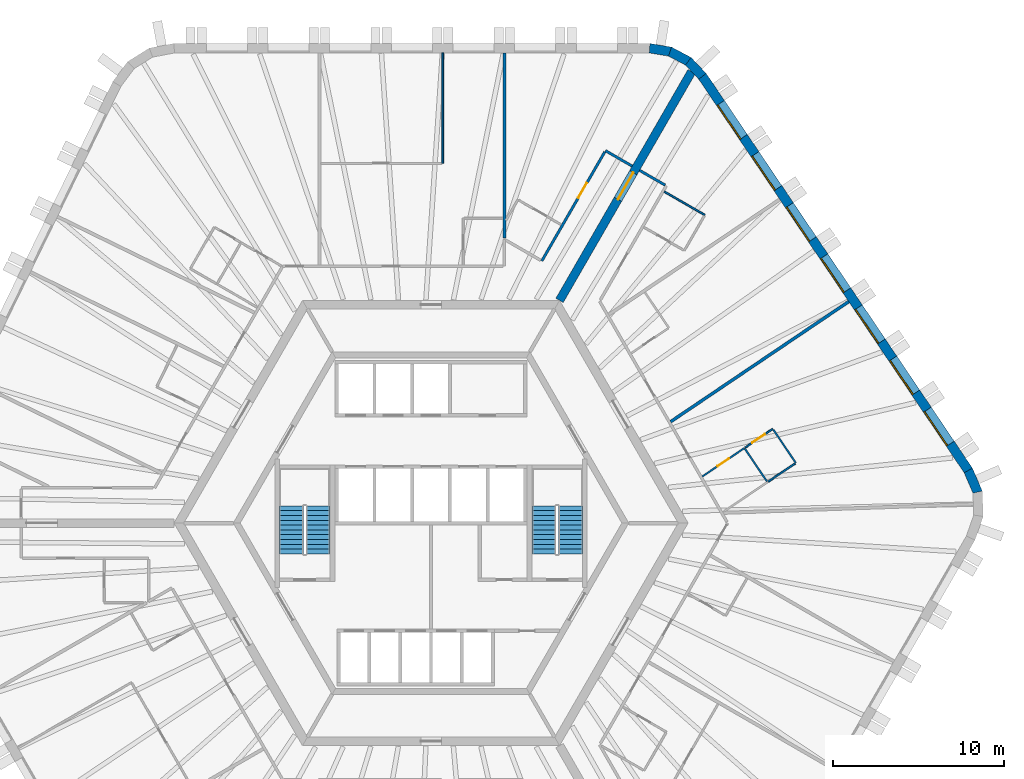
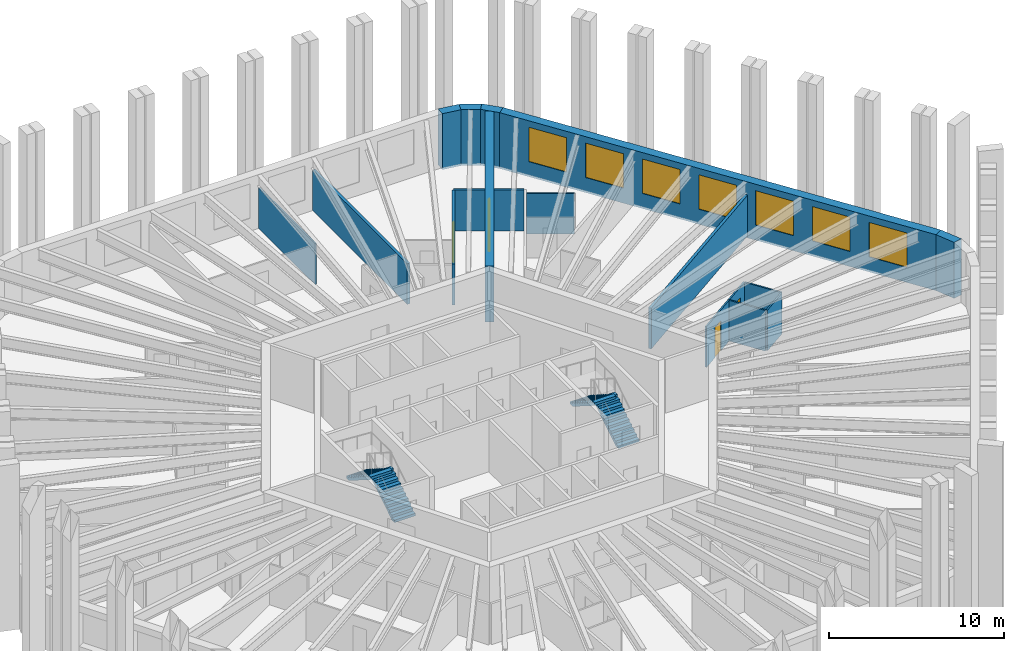
# One storey, part 9 of 10: 18 walls, 7 windows, 4 doors, 4 stair flights, 11 openings, 2 elements without a shape of their own.
"""IFC4 building model written with IfcOpenShell, lengths in metres."""

from ifc_helpers import new_model, si_unit, direction, frame, frame_2d, origin, place, context, subcontext, project, spatial, polyline, rectangle, outline, extrude, material, layer, layer_set, type_object, element, fill, aggregate, save


model = new_model("IFC4")

# Units and contexts
model_context = context("Model", 3, precision=1e-05, world=origin(), true_north=direction((0.0, 1.0)))
body_context = subcontext(model_context, "Body", "Model", "MODEL_VIEW")
ifc_project = project(units=[si_unit("LENGTHUNIT", "METRE"), si_unit("AREAUNIT", "SQUARE_METRE"), si_unit("VOLUMEUNIT", "CUBIC_METRE"), si_unit("PLANEANGLEUNIT", "RADIAN"), si_unit("MASSUNIT", "GRAM", prefix="KILO")], contexts=[model_context])

# Site, building, storey
site_placement = place(None, origin())
site = spatial("IfcSite", under=ifc_project, at=site_placement, CompositionType="ELEMENT")
building_placement = place(site_placement, origin())
building = spatial("IfcBuilding", under=site, at=building_placement, Name="Tarnside Tower", CompositionType="ELEMENT")
storey_placement = place(building_placement, frame((0.0, 0.0, 238.5)))
storey = spatial("IfcBuildingStorey", under=building, at=storey_placement, Name="L57", CompositionType="ELEMENT", Elevation=238.5)

# Wall, opening, door
ifc_material_1 = material(Name="Gypsum board partition on steel studs", Category="steel")
ifc_layer_1 = layer(ifc_material_1, 0.10009765625)
ifc_layer_set_1 = layer_set([ifc_layer_1], Name="Bathroom wall 100")
wall_type_1 = type_object("IfcWallType", Name="Bathroom wall 100", PredefinedType="PARTITIONING", material=ifc_layer_set_1)
wall_1_placement = place(storey_placement, frame((15.837646484375, 2.718505859375, 0.0), z_axis=(0.0, 0.0, 1.0), x_axis=(0.829027811096, 0.559207375156, 0.0)))
wall_1 = element("IfcWall", 1, at=wall_1_placement, inside=storey, type_object=wall_type_1, Name="Bathroom wall 19110", PredefinedType="PARTITIONING", context=body_context, shape_type="SweptSolid", body=[
    extrude(rectangle(XDim=2.9697265625, YDim=0.10009765625, at=frame_2d((1.48486328125, 0.0))), origin(), (0.0, 0.0, 1.0), 2.837890625),
])
opening_1_placement = place(wall_1_placement, frame((1.06982421875, 0.0, 0.0)))
opening_1 = element("IfcOpeningElement", 2, at=opening_1_placement, cuts=wall_1, Name="Opening D-B1", PredefinedType="OPENING", context=body_context, shape_type="SweptSolid", body=[
    extrude(rectangle(XDim=0.800048828125, YDim=2.10009765625, at=frame_2d((0.39990234375, 1.050048828125))), frame((0.0, 0.06005859375, 0.0), z_axis=(0.0, -1.0, 0.0), x_axis=(1.0, 0.0, 0.0)), (0.0, 0.0, 1.0), 0.1201171875),
])
ifc_material_2 = material(Name="Timber door leaf", Category="wood")
door_type_1 = type_object("IfcDoorType", Name="Bathroom door 800", OperationType="NOTDEFINED", PredefinedType="DOOR", material=ifc_material_2)
door_1_placement = place(opening_1_placement, origin())
door_1 = element("IfcDoor", 3, at=door_1_placement, inside=storey, type_object=door_type_1, Name="Bathroom door 19033", OperationType="SINGLE_SWING_RIGHT", OverallHeight=2.10009765625, OverallWidth=0.800048828125, PredefinedType="DOOR", context=body_context, shape_type="SweptSolid", body=[
    extrude(rectangle(XDim=0.800048828125, YDim=2.10009765625, at=frame_2d((0.39990234375, 1.050048828125))), frame((0.0, 0.02490234375, 0.0), z_axis=(0.0, -1.0, 0.0), x_axis=(1.0, 0.0, 0.0)), (0.0, 0.0, 1.0), 0.050048828125),
])
fill(opening_1, door_1)

# Walls
wall_2_placement = place(storey_placement, frame((19.61376953125, 2.430908203125, 0.0), z_axis=(0.0, 0.0, 1.0), x_axis=(-0.559199358977, 0.829033218225, 0.0)))
element("IfcWall", 4, at=wall_2_placement, inside=storey, type_object=wall_type_1, Name="Bathroom wall 19116", PredefinedType="PARTITIONING", context=body_context, shape_type="SweptSolid", body=[
    extrude(rectangle(XDim=2.300048828125, YDim=0.10009765625, at=frame_2d((1.14990234375, 0.0))), origin(), (0.0, 0.0, 1.0), 2.837890625),
])
wall_3_placement = place(storey_placement, frame((13.626708984375, 19.352294921875, 0.0), z_axis=(0.0, 0.0, 1.0), x_axis=(0.866012511928, -0.500022328685, 0.0)))
element("IfcWall", 5, at=wall_3_placement, inside=storey, type_object=wall_type_1, Name="Bathroom wall 19121", PredefinedType="PARTITIONING", context=body_context, shape_type="SweptSolid", body=[
    extrude(rectangle(XDim=2.72509765625, YDim=0.10009765625, at=frame_2d((1.362548828125, 0.0))), origin(), (0.0, 0.0, 1.0), 2.837890625),
])

# Wall, opening, door
ifc_material_3 = material(Name="Concrete C70/85", Category="concrete")
ifc_layer_2 = layer(ifc_material_3, 0.5)
ifc_layer_set_2 = layer_set([ifc_layer_2], Name="Core wall Z2 500 C70/85")
wall_type_2 = type_object("IfcWallType", Name="Core wall Z2 500 C70/85", PredefinedType="SHEAR", material=ifc_layer_set_2)
wall_4_placement = place(storey_placement, frame((7.505615234375, 13.0, -0.14990234375), z_axis=(0.0, 0.0, 1.0), x_axis=(0.499988271576, 0.866032175087, 0.0)))
wall_4 = element("IfcWall", 6, at=wall_4_placement, inside=storey, type_object=wall_type_2, Name="L57 spine wall 1", PredefinedType="SHEAR", context=body_context, shape_type="SweptSolid", body=[
    extrude(rectangle(XDim=15.423583984375, YDim=0.5, at=frame_2d((7.7119140625, 0.0))), origin(), (0.0, 0.0, 1.0), 3.89990234375),
])
opening_2_placement = place(wall_4_placement, frame((6.811767578125, 0.0, 0.14990234375)))
opening_2 = element("IfcOpeningElement", 7, at=opening_2_placement, cuts=wall_4, Name="Opening CD-SPN", PredefinedType="OPENING", context=body_context, shape_type="SweptSolid", body=[
    extrude(rectangle(XDim=1.800048828125, YDim=2.39990234375, at=frame_2d((0.89990234375, 1.199951171875))), frame((0.0, 0.260009765625, 0.0), z_axis=(0.0, -1.0, 0.0), x_axis=(1.0, 0.0, 0.0)), (0.0, 0.0, 1.0), 0.52001953125),
])
ifc_material_4 = material(Name="Steel fire door", Category="steel")
door_type_2 = type_object("IfcDoorType", Name="Spine passage double door FD60 1800x2400", OperationType="NOTDEFINED", PredefinedType="DOOR", material=ifc_material_4)
door_2_placement = place(opening_2_placement, origin())
door_2 = element("IfcDoor", 8, at=door_2_placement, inside=storey, type_object=door_type_2, Name="L57 spine passage door 1", OperationType="DOUBLE_DOOR_SINGLE_SWING", OverallHeight=2.39990234375, OverallWidth=1.800048828125, PredefinedType="DOOR", context=body_context, shape_type="SweptSolid", body=[
    extrude(rectangle(XDim=1.800048828125, YDim=2.39990234375, at=frame_2d((0.89990234375, 1.199951171875))), frame((0.0, 0.02490234375, 0.0), z_axis=(0.0, -1.0, 0.0), x_axis=(1.0, 0.0, 0.0)), (0.0, 0.0, 1.0), 0.050048828125),
])
fill(opening_2, door_2)

# Wall
ifc_layer_3 = layer(ifc_material_1, 0.14990234375)
ifc_layer_set_3 = layer_set([ifc_layer_3], Name="Corridor wall 150 EI 60")
wall_type_3 = type_object("IfcWallType", Name="Corridor wall 150 EI 60", PredefinedType="PARTITIONING", material=ifc_layer_set_3)
wall_5_placement = place(storey_placement, frame((11.744873046875, 20.8427734375, 0.0), z_axis=(0.0, 0.0, 1.0), x_axis=(-0.865989075817, 0.500062916607, 0.0)))
element("IfcWall", 9, at=wall_5_placement, inside=storey, type_object=wall_type_3, Name="Corridor wall 19001", PredefinedType="PARTITIONING", context=body_context, shape_type="SweptSolid", body=[
    extrude(rectangle(XDim=1.800048828125, YDim=0.14990234375, at=frame_2d((0.89990234375, 0.0))), origin(), (0.0, 0.0, 1.0), 2.837890625),
])

# Wall, opening, door
wall_6_placement = place(storey_placement, frame((10.148681640625, 21.677978515625, 0.0), z_axis=(0.0, 0.0, 1.0), x_axis=(-0.500020076982, -0.866013812023, 0.0)))
wall_6 = element("IfcWall", 10, at=wall_6_placement, inside=storey, type_object=wall_type_3, Name="Corridor wall 19002", PredefinedType="PARTITIONING", context=body_context, shape_type="SweptSolid", body=[
    extrude(rectangle(XDim=7.361083984375, YDim=0.14990234375, at=frame_2d((3.6806640625, 0.0))), origin(), (0.0, 0.0, 1.0), 2.837890625),
])
opening_3_placement = place(wall_6_placement, frame((2.117919921875, 0.0, 0.0)))
opening_3 = element("IfcOpeningElement", 11, at=opening_3_placement, cuts=wall_6, Name="Opening D-E1", PredefinedType="OPENING", context=body_context, shape_type="SweptSolid", body=[
    extrude(rectangle(XDim=1.0, YDim=2.10009765625, at=frame_2d((0.5, 1.050048828125))), frame((0.0, 0.0849609375, 0.0), z_axis=(0.0, -1.0, 0.0), x_axis=(1.0, 0.0, 0.0)), (0.0, 0.0, 1.0), 0.169921875),
])
door_type_3 = type_object("IfcDoorType", Name="Unit entrance door 1000 FD30S", OperationType="NOTDEFINED", PredefinedType="DOOR", material=ifc_material_2)
door_3_placement = place(opening_3_placement, origin())
door_3 = element("IfcDoor", 12, at=door_3_placement, inside=storey, type_object=door_type_3, Name="Unit door 19001", OperationType="SINGLE_SWING_LEFT", OverallHeight=2.10009765625, OverallWidth=1.0, PredefinedType="DOOR", context=body_context, shape_type="SweptSolid", body=[
    extrude(rectangle(XDim=1.0, YDim=2.10009765625, at=frame_2d((0.5, 1.050048828125))), frame((0.0, 0.02490234375, 0.0), z_axis=(0.0, -1.0, 0.0), x_axis=(1.0, 0.0, 0.0)), (0.0, 0.0, 1.0), 0.050048828125),
])
fill(opening_3, door_3)

# Walls
wall_7_placement = place(storey_placement, frame((13.671875, 19.73046875, 0.0), z_axis=(0.0, 0.0, 1.0), x_axis=(-0.866074815912, 0.499914405916, 0.0)))
element("IfcWall", 13, at=wall_7_placement, inside=storey, type_object=wall_type_3, Name="Corridor wall 19049", PredefinedType="PARTITIONING", context=body_context, shape_type="SweptSolid", body=[
    extrude(rectangle(XDim=1.724853515625, YDim=0.14990234375, at=frame_2d((0.8623046875, 0.0))), origin(), (0.0, 0.0, 1.0), 2.837890625),
])
ifc_layer_4 = layer(ifc_material_1, 0.179931640625)
ifc_layer_set_4 = layer_set([ifc_layer_4], Name="Demising wall 180 EI 60")
wall_type_4 = type_object("IfcWallType", Name="Demising wall 180 EI 60", PredefinedType="PARTITIONING", material=ifc_layer_set_4)
wall_8_placement = place(storey_placement, frame((4.2822265625, 27.449951171875, 0.0), z_axis=(0.0, 0.0, 1.0), x_axis=(0.0, -1.0, 0.0)))
element("IfcWall", 14, at=wall_8_placement, inside=storey, type_object=wall_type_4, Name="Demising wall 19053", PredefinedType="PARTITIONING", context=body_context, shape_type="SweptSolid", body=[
    extrude(rectangle(XDim=10.800537109375, YDim=0.179931640625, at=frame_2d((5.400390625, 0.0))), origin(), (0.0, 0.0, 1.0), 2.837890625),
])
wall_9_placement = place(storey_placement, frame((24.388671875, 12.9306640625, 0.0), z_axis=(0.0, 0.0, 1.0), x_axis=(-0.829040439793, -0.559188652593, 0.0)))
element("IfcWall", 15, at=wall_9_placement, inside=storey, type_object=wall_type_4, Name="Demising wall 19115", PredefinedType="PARTITIONING", context=body_context, shape_type="SweptSolid", body=[
    extrude(rectangle(XDim=12.542236328125, YDim=0.179931640625, at=frame_2d((6.27099609375, 0.0))), origin(), (0.0, 0.0, 1.0), 2.837890625),
])
ifc_layer_5 = layer(ifc_material_1, 0.10009765625)
ifc_layer_set_5 = layer_set([ifc_layer_5], Name="Partition 100")
wall_type_5 = type_object("IfcWallType", Name="Partition 100", PredefinedType="PARTITIONING", material=ifc_layer_set_5)
wall_10_placement = place(storey_placement, frame((0.68212890625, 27.449951171875, 0.0), z_axis=(0.0, 0.0, 1.0), x_axis=(0.0, -1.0, 0.0)))
element("IfcWall", 16, at=wall_10_placement, inside=storey, type_object=wall_type_5, Name="Partition wall 19058", PredefinedType="PARTITIONING", context=body_context, shape_type="SweptSolid", body=[
    extrude(rectangle(XDim=6.449951171875, YDim=0.10009765625, at=frame_2d((3.22509765625, 0.0))), origin(), (0.0, 0.0, 1.0), 2.837890625),
])

# Wall, opening, door
wall_11_placement = place(storey_placement, frame((18.341064453125, 4.406982421875, 0.0), z_axis=(0.0, 0.0, 1.0), x_axis=(0.829014089772, 0.559227716552, 0.0)))
wall_11 = element("IfcWall", 17, at=wall_11_placement, inside=storey, type_object=wall_type_5, Name="Partition wall 19112", PredefinedType="PARTITIONING", context=body_context, shape_type="SweptSolid", body=[
    extrude(rectangle(XDim=1.9501953125, YDim=0.10009765625, at=frame_2d((0.97509765625, 0.0))), origin(), (0.0, 0.0, 1.0), 2.837890625),
])
opening_4_placement = place(wall_11_placement, frame((0.5, 0.0, 0.0)))
opening_4 = element("IfcOpeningElement", 18, at=opening_4_placement, cuts=wall_11, Name="Opening D-I1", PredefinedType="OPENING", context=body_context, shape_type="SweptSolid", body=[
    extrude(rectangle(XDim=0.89990234375, YDim=2.10009765625, at=frame_2d((0.449951171875, 1.050048828125))), frame((0.0, 0.06005859375, 0.0), z_axis=(0.0, -1.0, 0.0), x_axis=(1.0, 0.0, 0.0)), (0.0, 0.0, 1.0), 0.1201171875),
])
door_type_4 = type_object("IfcDoorType", Name="Internal door 900", OperationType="NOTDEFINED", PredefinedType="DOOR", material=ifc_material_2)
door_4_placement = place(opening_4_placement, origin())
door_4 = element("IfcDoor", 19, at=door_4_placement, inside=storey, type_object=door_type_4, Name="Internal door 19034", OperationType="SINGLE_SWING_RIGHT", OverallHeight=2.10009765625, OverallWidth=0.89990234375, PredefinedType="DOOR", context=body_context, shape_type="SweptSolid", body=[
    extrude(rectangle(XDim=0.89990234375, YDim=2.10009765625, at=frame_2d((0.449951171875, 1.050048828125))), frame((0.0, 0.02490234375, 0.0), z_axis=(0.0, -1.0, 0.0), x_axis=(1.0, 0.0, 0.0)), (0.0, 0.0, 1.0), 0.050048828125),
])
fill(opening_4, door_4)

# Walls
wall_12_placement = place(storey_placement, frame((19.985595703125, 5.4560546875, 0.0), z_axis=(0.0, 0.0, 1.0), x_axis=(0.559223037199, -0.829017246302, 0.0)))
element("IfcWall", 20, at=wall_12_placement, inside=storey, type_object=wall_type_5, Name="Partition wall 19113", PredefinedType="PARTITIONING", context=body_context, shape_type="SweptSolid", body=[
    extrude(rectangle(XDim=2.35009765625, YDim=0.10009765625, at=frame_2d((1.175048828125, 0.0))), origin(), (0.0, 0.0, 1.0), 2.837890625),
])
wall_13_placement = place(storey_placement, frame((21.25830078125, 3.47998046875, 0.0), z_axis=(0.0, 0.0, 1.0), x_axis=(-0.82903334026, -0.559199178055, 0.0)))
element("IfcWall", 21, at=wall_13_placement, inside=storey, type_object=wall_type_5, Name="Partition wall 19114", PredefinedType="PARTITIONING", context=body_context, shape_type="SweptSolid", body=[
    extrude(rectangle(XDim=1.900146484375, YDim=0.10009765625, at=frame_2d((0.9501953125, 0.0))), origin(), (0.0, 0.0, 1.0), 2.837890625),
])
ifc_material_5 = material(Name="Facing brick", Category="masonry")
ifc_layer_6 = layer(ifc_material_5, 0.10205078125)
ifc_material_6 = material(Name="Concrete C60/75 precast", Category="concrete")
ifc_layer_7 = layer(ifc_material_6, 0.347900390625)
ifc_material_7 = material(Name="Mineral wool insulation")
ifc_layer_8 = layer(ifc_material_7, 0.10009765625)
ifc_layer_set_6 = layer_set([ifc_layer_6, ifc_layer_7, ifc_layer_8], Name="Tube wall 550 brick faced")
wall_type_6 = type_object("IfcWallType", Name="Tube wall 550 brick faced", PredefinedType="SOLIDWALL", material=ifc_layer_set_6)
wall_14_placement = place(storey_placement, frame((31.91748046875, 1.804443359375, -0.14990234375), z_axis=(0.0, 0.0, 1.0), x_axis=(-0.396225741392, 0.918153125496, 0.0)))
element("IfcWall", 22, at=wall_14_placement, inside=storey, type_object=wall_type_6, Name="Tube wall L57 F5 chord 19", PredefinedType="SOLIDWALL", context=body_context, shape_type="SweptSolid", body=[
    extrude(outline(polyline([(-0.0517578125, -0.27490234375), (1.404541015625, -0.27490234375), (1.353271484375, 0.27490234375), (0.0517578125, 0.27490234375), (-0.0517578125, -0.27490234375)])), origin(), (0.0, 0.0, 1.0), 3.89990234375),
])

# Wall, openings, windows
wall_15_placement = place(storey_placement, frame((31.37109375, 3.070556640625, -0.14990234375), z_axis=(0.0, 0.0, 1.0), x_axis=(-0.559189891278, 0.829039604297, 0.0)))
wall_15 = element("IfcWall", 23, at=wall_15_placement, inside=storey, type_object=wall_type_6, Name="Tube wall L57 F6 flush 20", PredefinedType="SOLIDWALL", context=body_context, shape_type="SweptSolid", body=[
    extrude(outline(polyline([(-0.025634765625, -0.27490234375), (27.780517578125, -0.27490234375), (27.735595703125, 0.27490234375), (0.025634765625, 0.27490234375), (-0.025634765625, -0.27490234375)])), origin(), (0.0, 0.0, 1.0), 3.89990234375),
])
opening_5_placement = place(wall_15_placement, frame((1.87890625, 0.0, 1.050048828125)))
opening_5 = element("IfcOpeningElement", 24, at=opening_5_placement, cuts=wall_15, Name="Opening WH", PredefinedType="OPENING", context=body_context, shape_type="SweptSolid", body=[
    extrude(rectangle(XDim=2.39990234375, YDim=2.39990234375, at=frame_2d((1.199951171875, 1.199951171875))), frame((0.0, 0.28515625, 0.0), z_axis=(0.0, -1.0, 0.0), x_axis=(1.0, 0.0, 0.0)), (0.0, 0.0, 1.0), 0.570068359375),
])
opening_6_placement = place(wall_15_placement, frame((5.47900390625, 0.0, 1.050048828125)))
opening_6 = element("IfcOpeningElement", 25, at=opening_6_placement, cuts=wall_15, Name="Opening WH", PredefinedType="OPENING", context=body_context, shape_type="SweptSolid", body=[
    extrude(rectangle(XDim=2.39990234375, YDim=2.39990234375, at=frame_2d((1.199951171875, 1.199951171875))), frame((0.0, 0.28515625, 0.0), z_axis=(0.0, -1.0, 0.0), x_axis=(1.0, 0.0, 0.0)), (0.0, 0.0, 1.0), 0.570068359375),
])
opening_7_placement = place(wall_15_placement, frame((9.078857421875, 0.0, 1.050048828125)))
opening_7 = element("IfcOpeningElement", 26, at=opening_7_placement, cuts=wall_15, Name="Opening WH", PredefinedType="OPENING", context=body_context, shape_type="SweptSolid", body=[
    extrude(rectangle(XDim=2.39990234375, YDim=2.39990234375, at=frame_2d((1.199951171875, 1.199951171875))), frame((0.0, 0.28515625, 0.0), z_axis=(0.0, -1.0, 0.0), x_axis=(1.0, 0.0, 0.0)), (0.0, 0.0, 1.0), 0.570068359375),
])
opening_8_placement = place(wall_15_placement, frame((12.678955078125, 0.0, 1.050048828125)))
opening_8 = element("IfcOpeningElement", 27, at=opening_8_placement, cuts=wall_15, Name="Opening WH", PredefinedType="OPENING", context=body_context, shape_type="SweptSolid", body=[
    extrude(rectangle(XDim=2.39990234375, YDim=2.39990234375, at=frame_2d((1.199951171875, 1.199951171875))), frame((0.0, 0.28515625, 0.0), z_axis=(0.0, -1.0, 0.0), x_axis=(1.0, 0.0, 0.0)), (0.0, 0.0, 1.0), 0.570068359375),
])
opening_9_placement = place(wall_15_placement, frame((16.27880859375, 0.0, 1.050048828125)))
opening_9 = element("IfcOpeningElement", 28, at=opening_9_placement, cuts=wall_15, Name="Opening WH", PredefinedType="OPENING", context=body_context, shape_type="SweptSolid", body=[
    extrude(rectangle(XDim=2.39990234375, YDim=2.39990234375, at=frame_2d((1.199951171875, 1.199951171875))), frame((0.0, 0.28515625, 0.0), z_axis=(0.0, -1.0, 0.0), x_axis=(1.0, 0.0, 0.0)), (0.0, 0.0, 1.0), 0.570068359375),
])
opening_10_placement = place(wall_15_placement, frame((19.87890625, 0.0, 1.050048828125)))
opening_10 = element("IfcOpeningElement", 29, at=opening_10_placement, cuts=wall_15, Name="Opening WH", PredefinedType="OPENING", context=body_context, shape_type="SweptSolid", body=[
    extrude(rectangle(XDim=2.39990234375, YDim=2.39990234375, at=frame_2d((1.199951171875, 1.199951171875))), frame((0.0, 0.28515625, 0.0), z_axis=(0.0, -1.0, 0.0), x_axis=(1.0, 0.0, 0.0)), (0.0, 0.0, 1.0), 0.570068359375),
])
opening_11_placement = place(wall_15_placement, frame((23.47900390625, 0.0, 1.050048828125)))
opening_11 = element("IfcOpeningElement", 30, at=opening_11_placement, cuts=wall_15, Name="Opening WH", PredefinedType="OPENING", context=body_context, shape_type="SweptSolid", body=[
    extrude(rectangle(XDim=2.39990234375, YDim=2.39990234375, at=frame_2d((1.199951171875, 1.199951171875))), frame((0.0, 0.28515625, 0.0), z_axis=(0.0, -1.0, 0.0), x_axis=(1.0, 0.0, 0.0)), (0.0, 0.0, 1.0), 0.570068359375),
])
ifc_material_8 = material(Name="Aluminium-framed double glazing", Category="aluminium")
window_type = type_object("IfcWindowType", Name="Hotel window 2400 x 2400", PartitioningType="DOUBLE_PANEL_VERTICAL", PredefinedType="WINDOW", material=ifc_material_8)
window_1_placement = place(opening_5_placement, frame((0.0, 0.205078125, 0.0)))
window_1 = element("IfcWindow", 31, at=window_1_placement, inside=storey, type_object=window_type, Name="E.WN.L57.F6.00", OverallHeight=2.39990234375, OverallWidth=2.39990234375, PartitioningType="DOUBLE_PANEL_VERTICAL", PredefinedType="WINDOW", context=body_context, shape_type="SweptSolid", body=[
    extrude(rectangle(XDim=2.39990234375, YDim=2.39990234375, at=frame_2d((1.199951171875, 1.199951171875))), frame((0.0, 0.030029296875, 0.0), z_axis=(0.0, -1.0, 0.0), x_axis=(1.0, 0.0, 0.0)), (0.0, 0.0, 1.0), 0.06005859375),
])
fill(opening_5, window_1)
window_2_placement = place(opening_6_placement, frame((0.0, 0.205078125, 0.0)))
window_2 = element("IfcWindow", 32, at=window_2_placement, inside=storey, type_object=window_type, Name="E.WN.L57.F6.01", OverallHeight=2.39990234375, OverallWidth=2.39990234375, PartitioningType="DOUBLE_PANEL_VERTICAL", PredefinedType="WINDOW", context=body_context, shape_type="SweptSolid", body=[
    extrude(rectangle(XDim=2.39990234375, YDim=2.39990234375, at=frame_2d((1.199951171875, 1.199951171875))), frame((0.0, 0.030029296875, 0.0), z_axis=(0.0, -1.0, 0.0), x_axis=(1.0, 0.0, 0.0)), (0.0, 0.0, 1.0), 0.06005859375),
])
fill(opening_6, window_2)
window_3_placement = place(opening_7_placement, frame((0.0, 0.205078125, 0.0)))
window_3 = element("IfcWindow", 33, at=window_3_placement, inside=storey, type_object=window_type, Name="E.WN.L57.F6.02", OverallHeight=2.39990234375, OverallWidth=2.39990234375, PartitioningType="DOUBLE_PANEL_VERTICAL", PredefinedType="WINDOW", context=body_context, shape_type="SweptSolid", body=[
    extrude(rectangle(XDim=2.39990234375, YDim=2.39990234375, at=frame_2d((1.199951171875, 1.199951171875))), frame((0.0, 0.030029296875, 0.0), z_axis=(0.0, -1.0, 0.0), x_axis=(1.0, 0.0, 0.0)), (0.0, 0.0, 1.0), 0.06005859375),
])
fill(opening_7, window_3)
window_4_placement = place(opening_8_placement, frame((0.0, 0.205078125, 0.0)))
window_4 = element("IfcWindow", 34, at=window_4_placement, inside=storey, type_object=window_type, Name="E.WN.L57.F6.03", OverallHeight=2.39990234375, OverallWidth=2.39990234375, PartitioningType="DOUBLE_PANEL_VERTICAL", PredefinedType="WINDOW", context=body_context, shape_type="SweptSolid", body=[
    extrude(rectangle(XDim=2.39990234375, YDim=2.39990234375, at=frame_2d((1.199951171875, 1.199951171875))), frame((0.0, 0.030029296875, 0.0), z_axis=(0.0, -1.0, 0.0), x_axis=(1.0, 0.0, 0.0)), (0.0, 0.0, 1.0), 0.06005859375),
])
fill(opening_8, window_4)
window_5_placement = place(opening_9_placement, frame((0.0, 0.205078125, 0.0)))
window_5 = element("IfcWindow", 35, at=window_5_placement, inside=storey, type_object=window_type, Name="E.WN.L57.F6.04", OverallHeight=2.39990234375, OverallWidth=2.39990234375, PartitioningType="DOUBLE_PANEL_VERTICAL", PredefinedType="WINDOW", context=body_context, shape_type="SweptSolid", body=[
    extrude(rectangle(XDim=2.39990234375, YDim=2.39990234375, at=frame_2d((1.199951171875, 1.199951171875))), frame((0.0, 0.030029296875, 0.0), z_axis=(0.0, -1.0, 0.0), x_axis=(1.0, 0.0, 0.0)), (0.0, 0.0, 1.0), 0.06005859375),
])
fill(opening_9, window_5)
window_6_placement = place(opening_10_placement, frame((0.0, 0.205078125, 0.0)))
window_6 = element("IfcWindow", 36, at=window_6_placement, inside=storey, type_object=window_type, Name="E.WN.L57.F6.05", OverallHeight=2.39990234375, OverallWidth=2.39990234375, PartitioningType="DOUBLE_PANEL_VERTICAL", PredefinedType="WINDOW", context=body_context, shape_type="SweptSolid", body=[
    extrude(rectangle(XDim=2.39990234375, YDim=2.39990234375, at=frame_2d((1.199951171875, 1.199951171875))), frame((0.0, 0.030029296875, 0.0), z_axis=(0.0, -1.0, 0.0), x_axis=(1.0, 0.0, 0.0)), (0.0, 0.0, 1.0), 0.06005859375),
])
fill(opening_10, window_6)
window_7_placement = place(opening_11_placement, frame((0.0, 0.205078125, 0.0)))
window_7 = element("IfcWindow", 37, at=window_7_placement, inside=storey, type_object=window_type, Name="E.WN.L57.F6.06", OverallHeight=2.39990234375, OverallWidth=2.39990234375, PartitioningType="DOUBLE_PANEL_VERTICAL", PredefinedType="WINDOW", context=body_context, shape_type="SweptSolid", body=[
    extrude(rectangle(XDim=2.39990234375, YDim=2.39990234375, at=frame_2d((1.199951171875, 1.199951171875))), frame((0.0, 0.030029296875, 0.0), z_axis=(0.0, -1.0, 0.0), x_axis=(1.0, 0.0, 0.0)), (0.0, 0.0, 1.0), 0.06005859375),
])
fill(opening_11, window_7)

# Walls
wall_16_placement = place(storey_placement, frame((15.84912109375, 26.0830078125, -0.14990234375), z_axis=(0.0, 0.0, 1.0), x_axis=(-0.686196220404, 0.727416488061, 0.0)))
element("IfcWall", 38, at=wall_16_placement, inside=storey, type_object=wall_type_6, Name="Tube wall L57 F6 chord 21", PredefinedType="SOLIDWALL", context=body_context, shape_type="SweptSolid", body=[
    extrude(outline(polyline([(-0.0224609375, -0.27490234375), (1.25341796875, -0.27490234375), (1.1630859375, 0.27490234375), (0.0224609375, 0.27490234375), (-0.0224609375, -0.27490234375)])), origin(), (0.0, 0.0, 1.0), 3.89990234375),
])
wall_17_placement = place(storey_placement, frame((15.02001953125, 26.9619140625, -0.14990234375), z_axis=(0.0, 0.0, 1.0), x_axis=(-0.882950818639, 0.469465495926, 0.0)))
element("IfcWall", 39, at=wall_17_placement, inside=storey, type_object=wall_type_6, Name="Tube wall L57 F6 chord 22", PredefinedType="SOLIDWALL", context=body_context, shape_type="SweptSolid", body=[
    extrude(outline(polyline([(-0.045166015625, -0.27490234375), (1.253173828125, -0.27490234375), (1.162841796875, 0.27490234375), (0.045166015625, 0.27490234375), (-0.045166015625, -0.27490234375)])), origin(), (0.0, 0.0, 1.0), 3.89990234375),
])
wall_18_placement = place(storey_placement, frame((13.953369140625, 27.529052734375, -0.14990234375), z_axis=(0.0, 0.0, 1.0), x_axis=(-0.986751945211, 0.162236243244, 0.0)))
element("IfcWall", 40, at=wall_18_placement, inside=storey, type_object=wall_type_6, Name="Tube wall L57 F6 chord 23", PredefinedType="SOLIDWALL", context=body_context, shape_type="SweptSolid", body=[
    extrude(outline(polyline([(-0.045166015625, -0.27490234375), (1.23095703125, -0.27490234375), (1.18603515625, 0.27490234375), (0.045166015625, 0.27490234375), (-0.045166015625, -0.27490234375)])), origin(), (0.0, 0.0, 1.0), 3.89990234375),
])

# Stair, stair flights
ifc_material_9 = material(Name="Concrete C40/50", Category="concrete")
stair_type = type_object("IfcStairType", Name="Exit stair 1400 clear", PredefinedType="HALF_TURN_STAIR", material=ifc_material_9)
stair_1_placement = place(storey_placement, origin())
stair_1 = element("IfcStair", 41, at=stair_1_placement, inside=storey, type_object=stair_type, Name="L57 Exit stair 1", PredefinedType="HALF_TURN_STAIR")
stair_flight_type = type_object("IfcStairFlightType", Name="Exit stair flight 1400", PredefinedType="STRAIGHT", material=ifc_material_9)
stair_flight_1_placement = place(storey_placement, frame((8.14990234375, -1.800048828125, 0.0), z_axis=(0.0, 0.0, 1.0), x_axis=(0.0, 1.0, 0.0)))
stair_flight_1 = element("IfcStairFlight", 42, at=stair_flight_1_placement, type_object=stair_flight_type, Name="ST1 flight 1", NumberOfRisers=11, NumberOfTreads=10, PredefinedType="STRAIGHT", RiserHeight=0.177272727, TreadLength=0.28, context=body_context, shape_type="SweptSolid", body=[
    extrude(outline(polyline([(0.0, 0.0), (0.0, 0.17724609375), (0.280029296875, 0.17724609375), (0.280029296875, 0.3544921875), (0.56005859375, 0.3544921875), (0.56005859375, 0.53173828125), (0.840087890625, 0.53173828125), (0.840087890625, 0.708984375), (1.1201171875, 0.708984375), (1.1201171875, 0.886474609375), (1.39990234375, 0.886474609375), (1.39990234375, 1.063720703125), (1.679931640625, 1.063720703125), (1.679931640625, 1.240966796875), (1.9599609375, 1.240966796875), (1.9599609375, 1.418212890625), (2.239990234375, 1.418212890625), (2.239990234375, 1.595458984375), (2.52001953125, 1.595458984375), (2.52001953125, 1.772705078125), (2.800048828125, 1.772705078125), (2.800048828125, 1.949951171875), (2.800048828125, 1.59521484375), (0.2802734375, 0.0), (0.0, 0.0)])), frame((0.0, 0.699951171875, 0.0), z_axis=(0.0, -1.0, 0.0), x_axis=(1.0, 0.0, 0.0)), (0.0, 0.0, 1.0), 1.39990234375),
])
stair_flight_2_placement = place(storey_placement, frame((6.60009765625, 1.0, 1.949951171875), z_axis=(0.0, 0.0, 1.0), x_axis=(0.0, -1.0, 0.0)))
stair_flight_2 = element("IfcStairFlight", 43, at=stair_flight_2_placement, type_object=stair_flight_type, Name="ST1 flight 2", NumberOfRisers=11, NumberOfTreads=10, PredefinedType="STRAIGHT", RiserHeight=0.177272727, TreadLength=0.28, context=body_context, shape_type="SweptSolid", body=[
    extrude(outline(polyline([(0.0, 0.0), (0.0, 0.17724609375), (0.280029296875, 0.17724609375), (0.280029296875, 0.3544921875), (0.56005859375, 0.3544921875), (0.56005859375, 0.53173828125), (0.840087890625, 0.53173828125), (0.840087890625, 0.708984375), (1.1201171875, 0.708984375), (1.1201171875, 0.886474609375), (1.39990234375, 0.886474609375), (1.39990234375, 1.063720703125), (1.679931640625, 1.063720703125), (1.679931640625, 1.240966796875), (1.9599609375, 1.240966796875), (1.9599609375, 1.418212890625), (2.239990234375, 1.418212890625), (2.239990234375, 1.595458984375), (2.52001953125, 1.595458984375), (2.52001953125, 1.772705078125), (2.800048828125, 1.772705078125), (2.800048828125, 1.949951171875), (2.800048828125, 1.59521484375), (0.2802734375, 0.0), (0.0, 0.0)])), frame((0.0, 0.699951171875, 0.0), z_axis=(0.0, -1.0, 0.0), x_axis=(1.0, 0.0, 0.0)), (0.0, 0.0, 1.0), 1.39990234375),
])
aggregate(stair_1, [stair_flight_1, stair_flight_2])

stair_2_placement = place(storey_placement, origin())
stair_2 = element("IfcStair", 44, at=stair_2_placement, inside=storey, type_object=stair_type, Name="L57 Exit stair 2", PredefinedType="HALF_TURN_STAIR")
stair_flight_3_placement = place(storey_placement, frame((-6.60009765625, -1.800048828125, 0.0), z_axis=(0.0, 0.0, 1.0), x_axis=(0.0, 1.0, 0.0)))
stair_flight_3 = element("IfcStairFlight", 45, at=stair_flight_3_placement, type_object=stair_flight_type, Name="ST2 flight 1", NumberOfRisers=11, NumberOfTreads=10, PredefinedType="STRAIGHT", RiserHeight=0.177272727, TreadLength=0.28, context=body_context, shape_type="SweptSolid", body=[
    extrude(outline(polyline([(0.0, 0.0), (0.0, 0.17724609375), (0.280029296875, 0.17724609375), (0.280029296875, 0.3544921875), (0.56005859375, 0.3544921875), (0.56005859375, 0.53173828125), (0.840087890625, 0.53173828125), (0.840087890625, 0.708984375), (1.1201171875, 0.708984375), (1.1201171875, 0.886474609375), (1.39990234375, 0.886474609375), (1.39990234375, 1.063720703125), (1.679931640625, 1.063720703125), (1.679931640625, 1.240966796875), (1.9599609375, 1.240966796875), (1.9599609375, 1.418212890625), (2.239990234375, 1.418212890625), (2.239990234375, 1.595458984375), (2.52001953125, 1.595458984375), (2.52001953125, 1.772705078125), (2.800048828125, 1.772705078125), (2.800048828125, 1.949951171875), (2.800048828125, 1.59521484375), (0.2802734375, 0.0), (0.0, 0.0)])), frame((0.0, 0.699951171875, 0.0), z_axis=(0.0, -1.0, 0.0), x_axis=(1.0, 0.0, 0.0)), (0.0, 0.0, 1.0), 1.39990234375),
])
stair_flight_4_placement = place(storey_placement, frame((-8.14990234375, 1.0, 1.949951171875), z_axis=(0.0, 0.0, 1.0), x_axis=(0.0, -1.0, 0.0)))
stair_flight_4 = element("IfcStairFlight", 46, at=stair_flight_4_placement, type_object=stair_flight_type, Name="ST2 flight 2", NumberOfRisers=11, NumberOfTreads=10, PredefinedType="STRAIGHT", RiserHeight=0.177272727, TreadLength=0.28, context=body_context, shape_type="SweptSolid", body=[
    extrude(outline(polyline([(0.0, 0.0), (0.0, 0.17724609375), (0.280029296875, 0.17724609375), (0.280029296875, 0.3544921875), (0.56005859375, 0.3544921875), (0.56005859375, 0.53173828125), (0.840087890625, 0.53173828125), (0.840087890625, 0.708984375), (1.1201171875, 0.708984375), (1.1201171875, 0.886474609375), (1.39990234375, 0.886474609375), (1.39990234375, 1.063720703125), (1.679931640625, 1.063720703125), (1.679931640625, 1.240966796875), (1.9599609375, 1.240966796875), (1.9599609375, 1.418212890625), (2.239990234375, 1.418212890625), (2.239990234375, 1.595458984375), (2.52001953125, 1.595458984375), (2.52001953125, 1.772705078125), (2.800048828125, 1.772705078125), (2.800048828125, 1.949951171875), (2.800048828125, 1.59521484375), (0.2802734375, 0.0), (0.0, 0.0)])), frame((0.0, 0.699951171875, 0.0), z_axis=(0.0, -1.0, 0.0), x_axis=(1.0, 0.0, 0.0)), (0.0, 0.0, 1.0), 1.39990234375),
])
aggregate(stair_2, [stair_flight_3, stair_flight_4])

save(model, "model.ifc")
